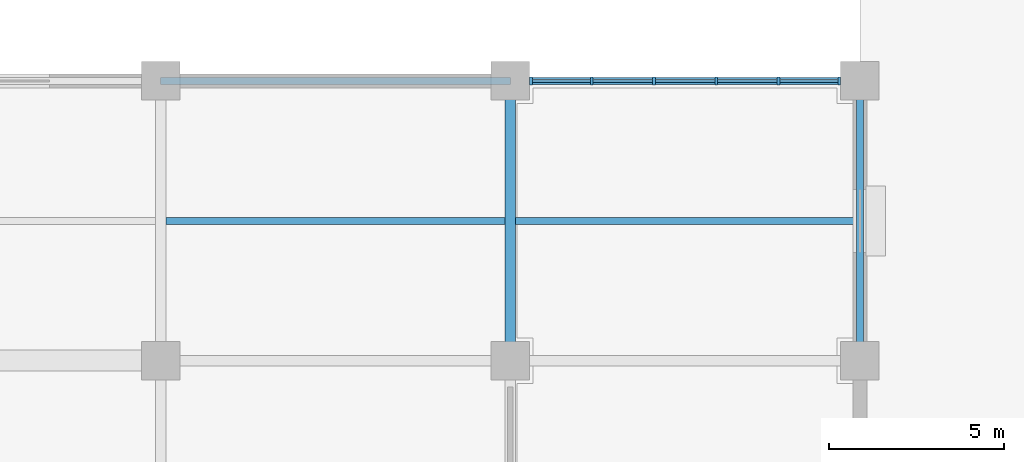
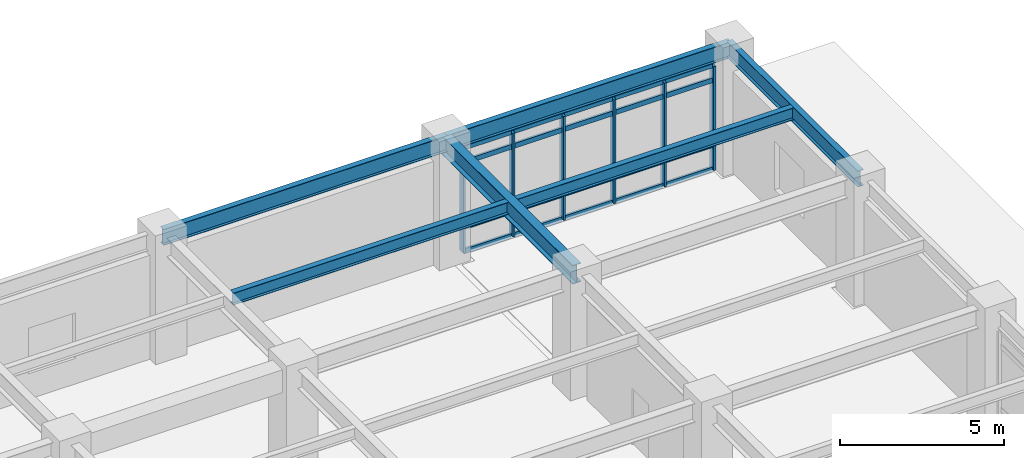
# One storey, part 55 of 125: 26 members, 6 beams, 1 element without a shape of its own.
"""IFC4 building model written with IfcOpenShell, lengths in metres."""

from ifc_helpers import new_model, si_unit, direction, frame, origin, origin_2d, place, context, subcontext, project, spatial, rectangle, i_section, extrude, material, layer, layer_set, material_profile, profile_set, type_object, element, aggregate, save


model = new_model("IFC4")

# Units and contexts
model_context = context("Model", 3, precision=1e-05, world=origin(), true_north=direction((0.0, 1.0)))
body_context = subcontext(model_context, "Body", "Model", "MODEL_VIEW")
ifc_project = project(units=[si_unit("LENGTHUNIT", "METRE"), si_unit("AREAUNIT", "SQUARE_METRE"), si_unit("VOLUMEUNIT", "CUBIC_METRE"), si_unit("PLANEANGLEUNIT", "RADIAN"), si_unit("MASSUNIT", "GRAM", prefix="KILO")], contexts=[model_context])

# Site, building, storey
site_placement = place(None, origin())
site = spatial("IfcSite", under=ifc_project, at=site_placement, CompositionType="ELEMENT")
building_placement = place(site_placement, origin())
building = spatial("IfcBuilding", under=site, at=building_placement, Name="Haebicheon Civic Stadium", CompositionType="ELEMENT")
storey_placement = place(building_placement, origin())
storey = spatial("IfcBuildingStorey", under=building, at=storey_placement, Name="L01", CompositionType="ELEMENT", Elevation=0.0)

# Beam
ifc_material_1 = material(Name="Steel SM490", Category="steel")
ifc_material_profile_1 = material_profile(ifc_material_1, i_section(OverallWidth=0.300048828125, OverallDepth=0.699951171875, WebThickness=0.012939453125, FlangeThickness=0.02392578125, at=origin_2d()), Name="H-700x300x13x24")
ifc_profile_set_1 = profile_set([ifc_material_profile_1], Name="Steel SM490")
beam_type_1 = type_object("IfcBeamType", Name="BM-ST-H700", PredefinedType="BEAM", material=ifc_profile_set_1)
beam_1_placement = place(storey_placement, frame((226.0, 152.0, 4.22998046875), z_axis=(0.0, 1.0, 0.0), x_axis=(-1.0, 0.0, 0.0)))
element("IfcBeam", 1, at=beam_1_placement, inside=storey, type_object=beam_type_1, material=ifc_profile_set_1, Name="L01 girder 29/V-W", PredefinedType="BEAM", context=body_context, shape_type="SweptSolid", body=[
    extrude(i_section(OverallWidth=0.300048828125, OverallDepth=0.699951171875, WebThickness=0.012939453125, FlangeThickness=0.02392578125, at=origin_2d()), origin(), (0.0, 0.0, 1.0), 8.0),
])

# Curtain wall, members
ifc_material_2 = material(Name="Anodised aluminium and laminated glass", Category="aluminium")
ifc_layer = layer(ifc_material_2, 0.179931640625, Name="Anodised aluminium and laminated glass")
ifc_layer_set = layer_set([ifc_layer], Name="Anodised aluminium and laminated glass")
curtain_wall_type = type_object("IfcCurtainWallType", Name="CW-8900x3870", PredefinedType="NOTDEFINED", material=ifc_layer_set)
curtain_wall_placement = place(storey_placement, origin())
curtain_wall = element("IfcCurtainWall", 2, at=curtain_wall_placement, inside=storey, type_object=curtain_wall_type, material=ifc_layer_set, Name="L01 unitised curtain wall 029", PredefinedType="NOTDEFINED")
ifc_material_3 = material(Name="Anodised aluminium 6063-T6", Category="aluminium")
ifc_material_profile_2 = material_profile(ifc_material_3, rectangle(XDim=0.080078125, YDim=0.239990234375, at=origin_2d()), Name="ALU-MULL-80x240")
ifc_profile_set_2 = profile_set([ifc_material_profile_2], Name="Anodised aluminium 6063-T6")
member_type_1 = type_object("IfcMemberType", Name="CWM-240x80", PredefinedType="MULLION", material=ifc_profile_set_2)
member_1_placement = place(storey_placement, frame((226.590087890625, 160.0, 0.0), z_axis=(0.0, 0.0, 1.0), x_axis=(1.0, 0.0, 0.0)))
member_1 = element("IfcMember", 3, at=member_1_placement, type_object=member_type_1, material=ifc_profile_set_2, Name="CW-L01-029 vertical mullion 1", PredefinedType="MULLION", context=body_context, shape_type="SweptSolid", body=[
    extrude(rectangle(XDim=0.080078125, YDim=0.239990234375, at=origin_2d()), origin(), (0.0, 0.0, 1.0), 3.8701171875),
])
member_2_placement = place(storey_placement, frame((228.330078125, 160.0, 0.0), z_axis=(0.0, 0.0, 1.0), x_axis=(1.0, 0.0, 0.0)))
member_2 = element("IfcMember", 4, at=member_2_placement, type_object=member_type_1, material=ifc_profile_set_2, Name="CW-L01-029 vertical mullion 2", PredefinedType="MULLION", context=body_context, shape_type="SweptSolid", body=[
    extrude(rectangle(XDim=0.080078125, YDim=0.239990234375, at=origin_2d()), origin(), (0.0, 0.0, 1.0), 3.8701171875),
])
member_3_placement = place(storey_placement, frame((230.110107421875, 160.0, 0.0), z_axis=(0.0, 0.0, 1.0), x_axis=(1.0, 0.0, 0.0)))
member_3 = element("IfcMember", 5, at=member_3_placement, type_object=member_type_1, material=ifc_profile_set_2, Name="CW-L01-029 vertical mullion 3", PredefinedType="MULLION", context=body_context, shape_type="SweptSolid", body=[
    extrude(rectangle(XDim=0.080078125, YDim=0.239990234375, at=origin_2d()), origin(), (0.0, 0.0, 1.0), 3.8701171875),
])
member_4_placement = place(storey_placement, frame((231.889892578125, 160.0, 0.0), z_axis=(0.0, 0.0, 1.0), x_axis=(1.0, 0.0, 0.0)))
member_4 = element("IfcMember", 6, at=member_4_placement, type_object=member_type_1, material=ifc_profile_set_2, Name="CW-L01-029 vertical mullion 4", PredefinedType="MULLION", context=body_context, shape_type="SweptSolid", body=[
    extrude(rectangle(XDim=0.080078125, YDim=0.239990234375, at=origin_2d()), origin(), (0.0, 0.0, 1.0), 3.8701171875),
])
member_5_placement = place(storey_placement, frame((233.669921875, 160.0, 0.0), z_axis=(0.0, 0.0, 1.0), x_axis=(1.0, 0.0, 0.0)))
member_5 = element("IfcMember", 7, at=member_5_placement, type_object=member_type_1, material=ifc_profile_set_2, Name="CW-L01-029 vertical mullion 5", PredefinedType="MULLION", context=body_context, shape_type="SweptSolid", body=[
    extrude(rectangle(XDim=0.080078125, YDim=0.239990234375, at=origin_2d()), origin(), (0.0, 0.0, 1.0), 3.8701171875),
])
member_6_placement = place(storey_placement, frame((235.409912109375, 160.0, 0.0), z_axis=(0.0, 0.0, 1.0), x_axis=(1.0, 0.0, 0.0)))
member_6 = element("IfcMember", 8, at=member_6_placement, type_object=member_type_1, material=ifc_profile_set_2, Name="CW-L01-029 vertical mullion 6", PredefinedType="MULLION", context=body_context, shape_type="SweptSolid", body=[
    extrude(rectangle(XDim=0.080078125, YDim=0.239990234375, at=origin_2d()), origin(), (0.0, 0.0, 1.0), 3.8701171875),
])
ifc_material_4 = material(Name="Anodised aluminium 6063-T6", Category="aluminium")
ifc_material_profile_3 = material_profile(ifc_material_4, rectangle(XDim=0.080078125, YDim=0.179931640625, at=origin_2d()), Name="ALU-TRAN-80x180")
ifc_profile_set_3 = profile_set([ifc_material_profile_3], Name="Anodised aluminium 6063-T6")
member_type_2 = type_object("IfcMemberType", Name="CWT-180x80", PredefinedType="NOTDEFINED", material=ifc_profile_set_3)
member_7_placement = place(storey_placement, frame((226.6298828125, 160.0, 0.0), z_axis=(1.0, 0.0, 0.0), x_axis=(0.0, 1.0, 0.0)))
member_7 = element("IfcMember", 9, at=member_7_placement, type_object=member_type_2, material=ifc_profile_set_3, Name="CW-L01-029 horizontal transom 1.1", ObjectType="TRANSOM", PredefinedType="USERDEFINED", context=body_context, shape_type="SweptSolid", body=[
    extrude(rectangle(XDim=0.080078125, YDim=0.179931640625, at=origin_2d()), origin(), (0.0, 0.0, 1.0), 1.66015625),
])
member_8_placement = place(storey_placement, frame((226.6298828125, 160.0, 0.89990234375), z_axis=(1.0, 0.0, 0.0), x_axis=(0.0, 1.0, 0.0)))
member_8 = element("IfcMember", 10, at=member_8_placement, type_object=member_type_2, material=ifc_profile_set_3, Name="CW-L01-029 horizontal transom 1.2", ObjectType="TRANSOM", PredefinedType="USERDEFINED", context=body_context, shape_type="SweptSolid", body=[
    extrude(rectangle(XDim=0.080078125, YDim=0.179931640625, at=origin_2d()), origin(), (0.0, 0.0, 1.0), 1.66015625),
])
member_9_placement = place(storey_placement, frame((226.6298828125, 160.0, 3.320068359375), z_axis=(1.0, 0.0, 0.0), x_axis=(0.0, 1.0, 0.0)))
member_9 = element("IfcMember", 11, at=member_9_placement, type_object=member_type_2, material=ifc_profile_set_3, Name="CW-L01-029 horizontal transom 1.3", ObjectType="TRANSOM", PredefinedType="USERDEFINED", context=body_context, shape_type="SweptSolid", body=[
    extrude(rectangle(XDim=0.080078125, YDim=0.179931640625, at=origin_2d()), origin(), (0.0, 0.0, 1.0), 1.66015625),
])
member_10_placement = place(storey_placement, frame((226.6298828125, 160.0, 3.8701171875), z_axis=(1.0, 0.0, 0.0), x_axis=(0.0, 1.0, 0.0)))
member_10 = element("IfcMember", 12, at=member_10_placement, type_object=member_type_2, material=ifc_profile_set_3, Name="CW-L01-029 horizontal transom 1.4", ObjectType="TRANSOM", PredefinedType="USERDEFINED", context=body_context, shape_type="SweptSolid", body=[
    extrude(rectangle(XDim=0.080078125, YDim=0.179931640625, at=origin_2d()), origin(), (0.0, 0.0, 1.0), 1.66015625),
])
member_11_placement = place(storey_placement, frame((228.3701171875, 160.0, 0.0), z_axis=(1.0, 0.0, 0.0), x_axis=(0.0, 1.0, 0.0)))
member_11 = element("IfcMember", 13, at=member_11_placement, type_object=member_type_2, material=ifc_profile_set_3, Name="CW-L01-029 horizontal transom 2.1", ObjectType="TRANSOM", PredefinedType="USERDEFINED", context=body_context, shape_type="SweptSolid", body=[
    extrude(rectangle(XDim=0.080078125, YDim=0.179931640625, at=origin_2d()), origin(), (0.0, 0.0, 1.0), 1.699951171875),
])
member_12_placement = place(storey_placement, frame((228.3701171875, 160.0, 0.89990234375), z_axis=(1.0, 0.0, 0.0), x_axis=(0.0, 1.0, 0.0)))
member_12 = element("IfcMember", 14, at=member_12_placement, type_object=member_type_2, material=ifc_profile_set_3, Name="CW-L01-029 horizontal transom 2.2", ObjectType="TRANSOM", PredefinedType="USERDEFINED", context=body_context, shape_type="SweptSolid", body=[
    extrude(rectangle(XDim=0.080078125, YDim=0.179931640625, at=origin_2d()), origin(), (0.0, 0.0, 1.0), 1.699951171875),
])
member_13_placement = place(storey_placement, frame((228.3701171875, 160.0, 3.320068359375), z_axis=(1.0, 0.0, 0.0), x_axis=(0.0, 1.0, 0.0)))
member_13 = element("IfcMember", 15, at=member_13_placement, type_object=member_type_2, material=ifc_profile_set_3, Name="CW-L01-029 horizontal transom 2.3", ObjectType="TRANSOM", PredefinedType="USERDEFINED", context=body_context, shape_type="SweptSolid", body=[
    extrude(rectangle(XDim=0.080078125, YDim=0.179931640625, at=origin_2d()), origin(), (0.0, 0.0, 1.0), 1.699951171875),
])
member_14_placement = place(storey_placement, frame((228.3701171875, 160.0, 3.8701171875), z_axis=(1.0, 0.0, 0.0), x_axis=(0.0, 1.0, 0.0)))
member_14 = element("IfcMember", 16, at=member_14_placement, type_object=member_type_2, material=ifc_profile_set_3, Name="CW-L01-029 horizontal transom 2.4", ObjectType="TRANSOM", PredefinedType="USERDEFINED", context=body_context, shape_type="SweptSolid", body=[
    extrude(rectangle(XDim=0.080078125, YDim=0.179931640625, at=origin_2d()), origin(), (0.0, 0.0, 1.0), 1.699951171875),
])
member_15_placement = place(storey_placement, frame((230.14990234375, 160.0, 0.0), z_axis=(1.0, 0.0, 0.0), x_axis=(0.0, 1.0, 0.0)))
member_15 = element("IfcMember", 17, at=member_15_placement, type_object=member_type_2, material=ifc_profile_set_3, Name="CW-L01-029 horizontal transom 3.1", ObjectType="TRANSOM", PredefinedType="USERDEFINED", context=body_context, shape_type="SweptSolid", body=[
    extrude(rectangle(XDim=0.080078125, YDim=0.179931640625, at=origin_2d()), origin(), (0.0, 0.0, 1.0), 1.7001953125),
])
member_16_placement = place(storey_placement, frame((230.14990234375, 160.0, 0.89990234375), z_axis=(1.0, 0.0, 0.0), x_axis=(0.0, 1.0, 0.0)))
member_16 = element("IfcMember", 18, at=member_16_placement, type_object=member_type_2, material=ifc_profile_set_3, Name="CW-L01-029 horizontal transom 3.2", ObjectType="TRANSOM", PredefinedType="USERDEFINED", context=body_context, shape_type="SweptSolid", body=[
    extrude(rectangle(XDim=0.080078125, YDim=0.179931640625, at=origin_2d()), origin(), (0.0, 0.0, 1.0), 1.7001953125),
])
member_17_placement = place(storey_placement, frame((230.14990234375, 160.0, 3.320068359375), z_axis=(1.0, 0.0, 0.0), x_axis=(0.0, 1.0, 0.0)))
member_17 = element("IfcMember", 19, at=member_17_placement, type_object=member_type_2, material=ifc_profile_set_3, Name="CW-L01-029 horizontal transom 3.3", ObjectType="TRANSOM", PredefinedType="USERDEFINED", context=body_context, shape_type="SweptSolid", body=[
    extrude(rectangle(XDim=0.080078125, YDim=0.179931640625, at=origin_2d()), origin(), (0.0, 0.0, 1.0), 1.7001953125),
])
member_18_placement = place(storey_placement, frame((230.14990234375, 160.0, 3.8701171875), z_axis=(1.0, 0.0, 0.0), x_axis=(0.0, 1.0, 0.0)))
member_18 = element("IfcMember", 20, at=member_18_placement, type_object=member_type_2, material=ifc_profile_set_3, Name="CW-L01-029 horizontal transom 3.4", ObjectType="TRANSOM", PredefinedType="USERDEFINED", context=body_context, shape_type="SweptSolid", body=[
    extrude(rectangle(XDim=0.080078125, YDim=0.179931640625, at=origin_2d()), origin(), (0.0, 0.0, 1.0), 1.7001953125),
])
member_19_placement = place(storey_placement, frame((231.929931640625, 160.0, 0.0), z_axis=(1.0, 0.0, 0.0), x_axis=(0.0, 1.0, 0.0)))
member_19 = element("IfcMember", 21, at=member_19_placement, type_object=member_type_2, material=ifc_profile_set_3, Name="CW-L01-029 horizontal transom 4.1", ObjectType="TRANSOM", PredefinedType="USERDEFINED", context=body_context, shape_type="SweptSolid", body=[
    extrude(rectangle(XDim=0.080078125, YDim=0.179931640625, at=origin_2d()), origin(), (0.0, 0.0, 1.0), 1.699951171875),
])
member_20_placement = place(storey_placement, frame((231.929931640625, 160.0, 0.89990234375), z_axis=(1.0, 0.0, 0.0), x_axis=(0.0, 1.0, 0.0)))
member_20 = element("IfcMember", 22, at=member_20_placement, type_object=member_type_2, material=ifc_profile_set_3, Name="CW-L01-029 horizontal transom 4.2", ObjectType="TRANSOM", PredefinedType="USERDEFINED", context=body_context, shape_type="SweptSolid", body=[
    extrude(rectangle(XDim=0.080078125, YDim=0.179931640625, at=origin_2d()), origin(), (0.0, 0.0, 1.0), 1.699951171875),
])
member_21_placement = place(storey_placement, frame((231.929931640625, 160.0, 3.320068359375), z_axis=(1.0, 0.0, 0.0), x_axis=(0.0, 1.0, 0.0)))
member_21 = element("IfcMember", 23, at=member_21_placement, type_object=member_type_2, material=ifc_profile_set_3, Name="CW-L01-029 horizontal transom 4.3", ObjectType="TRANSOM", PredefinedType="USERDEFINED", context=body_context, shape_type="SweptSolid", body=[
    extrude(rectangle(XDim=0.080078125, YDim=0.179931640625, at=origin_2d()), origin(), (0.0, 0.0, 1.0), 1.699951171875),
])
member_22_placement = place(storey_placement, frame((231.929931640625, 160.0, 3.8701171875), z_axis=(1.0, 0.0, 0.0), x_axis=(0.0, 1.0, 0.0)))
member_22 = element("IfcMember", 24, at=member_22_placement, type_object=member_type_2, material=ifc_profile_set_3, Name="CW-L01-029 horizontal transom 4.4", ObjectType="TRANSOM", PredefinedType="USERDEFINED", context=body_context, shape_type="SweptSolid", body=[
    extrude(rectangle(XDim=0.080078125, YDim=0.179931640625, at=origin_2d()), origin(), (0.0, 0.0, 1.0), 1.699951171875),
])
member_23_placement = place(storey_placement, frame((233.7099609375, 160.0, 0.0), z_axis=(1.0, 0.0, 0.0), x_axis=(0.0, 1.0, 0.0)))
member_23 = element("IfcMember", 25, at=member_23_placement, type_object=member_type_2, material=ifc_profile_set_3, Name="CW-L01-029 horizontal transom 5.1", ObjectType="TRANSOM", PredefinedType="USERDEFINED", context=body_context, shape_type="SweptSolid", body=[
    extrude(rectangle(XDim=0.080078125, YDim=0.179931640625, at=origin_2d()), origin(), (0.0, 0.0, 1.0), 1.66015625),
])
member_24_placement = place(storey_placement, frame((233.7099609375, 160.0, 0.89990234375), z_axis=(1.0, 0.0, 0.0), x_axis=(0.0, 1.0, 0.0)))
member_24 = element("IfcMember", 26, at=member_24_placement, type_object=member_type_2, material=ifc_profile_set_3, Name="CW-L01-029 horizontal transom 5.2", ObjectType="TRANSOM", PredefinedType="USERDEFINED", context=body_context, shape_type="SweptSolid", body=[
    extrude(rectangle(XDim=0.080078125, YDim=0.179931640625, at=origin_2d()), origin(), (0.0, 0.0, 1.0), 1.66015625),
])
member_25_placement = place(storey_placement, frame((233.7099609375, 160.0, 3.320068359375), z_axis=(1.0, 0.0, 0.0), x_axis=(0.0, 1.0, 0.0)))
member_25 = element("IfcMember", 27, at=member_25_placement, type_object=member_type_2, material=ifc_profile_set_3, Name="CW-L01-029 horizontal transom 5.3", ObjectType="TRANSOM", PredefinedType="USERDEFINED", context=body_context, shape_type="SweptSolid", body=[
    extrude(rectangle(XDim=0.080078125, YDim=0.179931640625, at=origin_2d()), origin(), (0.0, 0.0, 1.0), 1.66015625),
])
member_26_placement = place(storey_placement, frame((233.7099609375, 160.0, 3.8701171875), z_axis=(1.0, 0.0, 0.0), x_axis=(0.0, 1.0, 0.0)))
member_26 = element("IfcMember", 28, at=member_26_placement, type_object=member_type_2, material=ifc_profile_set_3, Name="CW-L01-029 horizontal transom 5.4", ObjectType="TRANSOM", PredefinedType="USERDEFINED", context=body_context, shape_type="SweptSolid", body=[
    extrude(rectangle(XDim=0.080078125, YDim=0.179931640625, at=origin_2d()), origin(), (0.0, 0.0, 1.0), 1.66015625),
])
aggregate(curtain_wall, [member_1, member_2, member_3, member_4, member_5, member_6, member_7, member_8, member_9, member_10, member_11, member_12, member_13, member_14, member_15, member_16, member_17, member_18, member_19, member_20, member_21, member_22, member_23, member_24, member_25, member_26])

# Beams
ifc_material_5 = material(Name="Steel SM355 (S355)", Category="steel")
ifc_material_profile_4 = material_profile(ifc_material_5, i_section(OverallWidth=0.199951171875, OverallDepth=0.449951171875, WebThickness=0.009033203125, FlangeThickness=0.013916015625, at=origin_2d()), Name="H-450x200x9x14")
ifc_profile_set_4 = profile_set([ifc_material_profile_4], Name="Steel SM355 (S355)")
beam_type_2 = type_object("IfcBeamType", Name="JST-ST-H450", PredefinedType="JOIST", material=ifc_profile_set_4)
beam_2_placement = place(storey_placement, frame((216.14990234375, 156.0, 4.35498046875), z_axis=(1.0, 0.0, 0.0), x_axis=(0.0, 1.0, 0.0)))
element("IfcBeam", 29, at=beam_2_placement, inside=storey, type_object=beam_type_2, material=ifc_profile_set_4, Name="L01 secondary joist 27-19", PredefinedType="JOIST", context=body_context, shape_type="SweptSolid", body=[
    extrude(i_section(OverallWidth=0.199951171875, OverallDepth=0.449951171875, WebThickness=0.009033203125, FlangeThickness=0.013916015625, at=origin_2d()), origin(), (0.0, 0.0, 1.0), 9.7001953125),
])
beam_3_placement = place(storey_placement, frame((226.14990234375, 156.0, 4.35498046875), z_axis=(1.0, 0.0, 0.0), x_axis=(0.0, 1.0, 0.0)))
element("IfcBeam", 30, at=beam_3_placement, inside=storey, type_object=beam_type_2, material=ifc_profile_set_4, Name="L01 secondary joist 28-19", PredefinedType="JOIST", context=body_context, shape_type="SweptSolid", body=[
    extrude(i_section(OverallWidth=0.199951171875, OverallDepth=0.449951171875, WebThickness=0.009033203125, FlangeThickness=0.013916015625, at=origin_2d()), origin(), (0.0, 0.0, 1.0), 9.75),
])
ifc_material_6 = material(Name="Steel SM355 (S355)", Category="steel")
ifc_material_profile_5 = material_profile(ifc_material_6, i_section(OverallWidth=0.199951171875, OverallDepth=0.60009765625, WebThickness=0.010986328125, FlangeThickness=0.01708984375, at=origin_2d()), Name="H-600x200x11x17")
ifc_profile_set_5 = profile_set([ifc_material_profile_5], Name="Steel SM355 (S355)")
beam_type_3 = type_object("IfcBeamType", Name="SPD-ST-H600B", PredefinedType="SPANDREL", material=ifc_profile_set_5)
beam_4_placement = place(storey_placement, frame((236.0, 152.0, 4.280029296875), z_axis=(0.0, 1.0, 0.0), x_axis=(-1.0, 0.0, 0.0)))
element("IfcBeam", 31, at=beam_4_placement, inside=storey, type_object=beam_type_3, material=ifc_profile_set_5, Name="L01 girder 30/V-W", PredefinedType="SPANDREL", context=body_context, shape_type="SweptSolid", body=[
    extrude(i_section(OverallWidth=0.199951171875, OverallDepth=0.60009765625, WebThickness=0.010986328125, FlangeThickness=0.01708984375, at=origin_2d()), origin(), (0.0, 0.0, 1.0), 8.0),
])
for number, where, z_axis, x_axis, name in (
    (32, (216.0, 160.0, 4.280029296875), (1.0, 0.0, 0.0), (0.0, 1.0, 0.0), "L01 beam W/28-29"),
    (33, (226.0, 160.0, 4.280029296875), (1.0, 0.0, 0.0), (0.0, 1.0, 0.0), "L01 beam W/29-30"),
):
    element("IfcBeam", number, at=place(storey_placement, frame(where, z_axis=z_axis, x_axis=x_axis)), inside=storey, type_object=beam_type_3, material=ifc_profile_set_5, Name=name, PredefinedType="SPANDREL", context=body_context, shape_type="SweptSolid", body=[
        extrude(i_section(OverallWidth=0.199951171875, OverallDepth=0.60009765625, WebThickness=0.010986328125, FlangeThickness=0.01708984375, at=origin_2d()), origin(), (0.0, 0.0, 1.0), 10.0),
    ])

save(model, "model.ifc")
